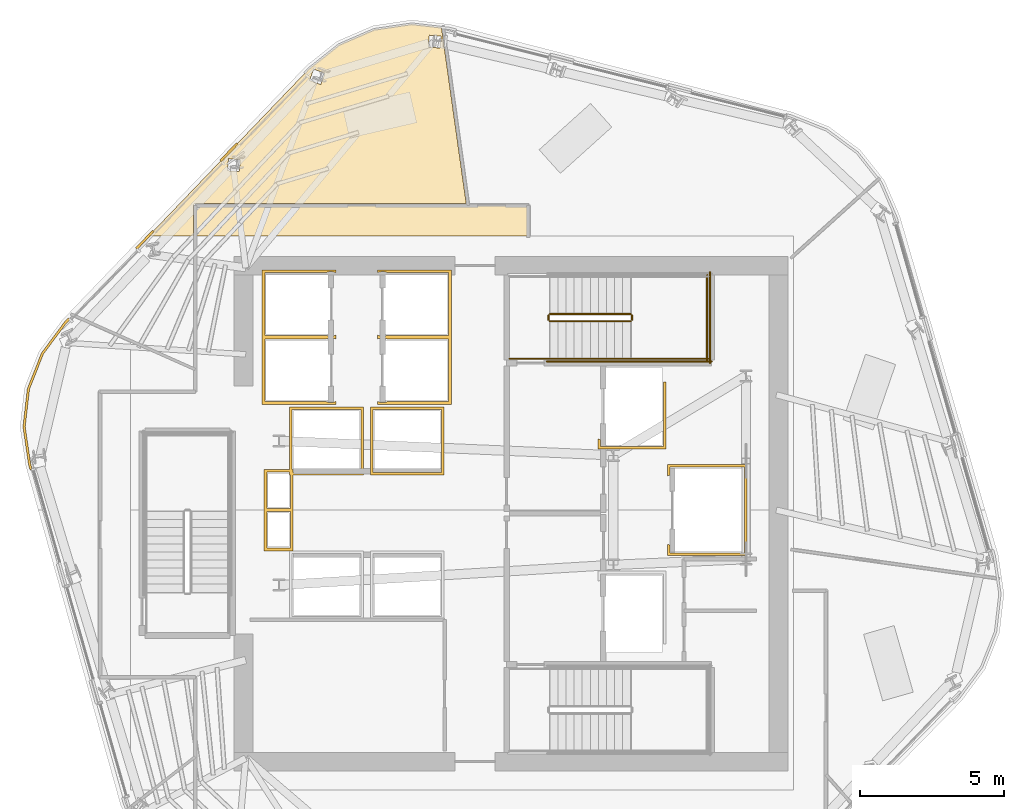
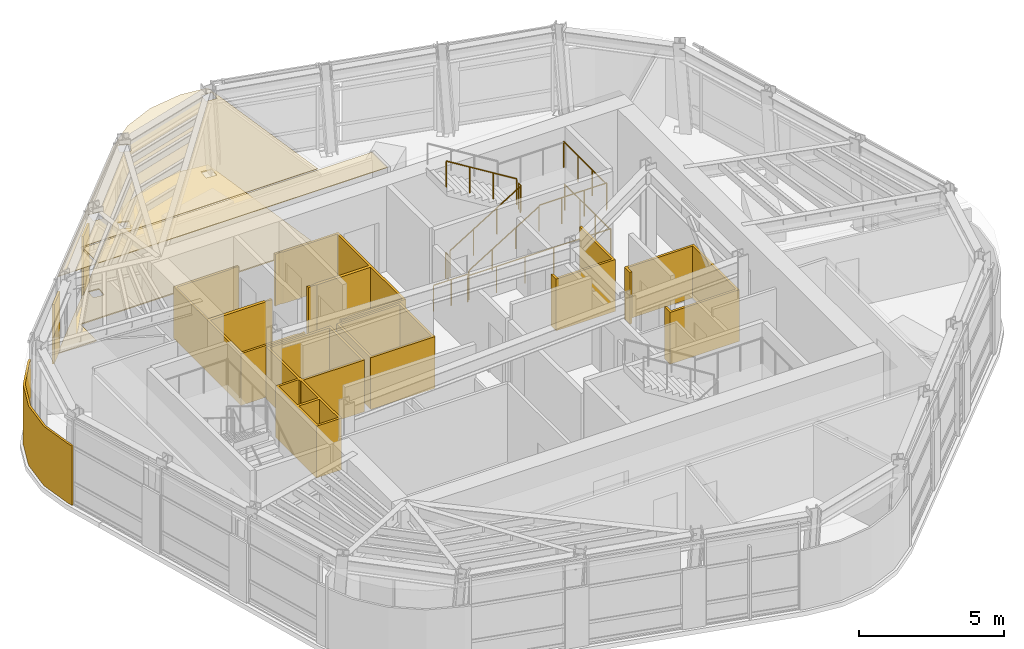
# One storey, part 11 of 13: 12 coverings, 10 railings.
"""IFC4 building model written with IfcOpenShell, lengths in metres."""

from ifc_helpers import new_model, si_unit, direction, frame, origin, origin_2d, place, context, subcontext, project, spatial, polyline, circle, outline, extrude, material, layer, layer_set, type_object, element, save


model = new_model("IFC4")

# Units and contexts
model_context = context("Model", 3, precision=1e-05, world=origin(), true_north=direction((0.0, 1.0)))
body_context = subcontext(model_context, "Body", "Model", "MODEL_VIEW")
ifc_project = project(units=[si_unit("LENGTHUNIT", "METRE"), si_unit("AREAUNIT", "SQUARE_METRE"), si_unit("VOLUMEUNIT", "CUBIC_METRE"), si_unit("PLANEANGLEUNIT", "RADIAN"), si_unit("MASSUNIT", "GRAM", prefix="KILO")], contexts=[model_context])

# Site, building, storey
site_placement = place(None, origin())
site = spatial("IfcSite", under=ifc_project, at=site_placement, CompositionType="ELEMENT")
building_placement = place(site_placement, origin())
building = spatial("IfcBuilding", under=site, at=building_placement, Name="Valkerne Bourse Tower", CompositionType="ELEMENT")
storey_placement = place(building_placement, frame((0.0, 0.0, 220.800048828125)))
storey = spatial("IfcBuildingStorey", under=building, at=storey_placement, Name="L56", CompositionType="ELEMENT", Elevation=220.800048828125)

# Coverings
ifc_material_1 = material(Name="Mineral Fiber Acoustic Ceiling Tile", Category="acoustic")
ifc_layer_1 = layer(ifc_material_1, 0.02490234375)
ifc_layer_set_1 = layer_set([ifc_layer_1], Name="Mineral Fiber Acoustic Ceiling Tile")
covering_type_1 = type_object("IfcCoveringType", Name="COV-CEIL-ACT", PredefinedType="CEILING", material=ifc_layer_set_1)
covering_1_placement = place(storey_placement, frame((0.0, 0.0, 3.25)))
element("IfcCovering", 1, at=covering_1_placement, inside=storey, type_object=covering_type_1, Name="L56 Suspended Ceiling 09", PredefinedType="CEILING", context=body_context, shape_type="SweptSolid", body=[
    extrude(outline(polyline([(42.054931640625, 43.65771484375), (43.3603515625, 43.8505859375), (44.388916015625, 43.7314453125), (45.24658203125, 37.62890625), (35.849609375, 37.62890625), (35.81494140625, 37.61962890625), (35.790283203125, 37.59521484375), (35.781005859375, 37.560546875), (35.781005859375, 36.5), (34.2294921875, 36.5), (39.802490234375, 42.30810546875), (40.843994140625, 43.133544921875), (42.054931640625, 43.65771484375)]), holes=[polyline([(37.3740234375, 38.734619140625), (37.414306640625, 39.146728515625), (37.0048828125, 39.1875), (37.003173828125, 39.186279296875), (36.962890625, 38.774169921875), (37.372314453125, 38.7333984375), (37.3740234375, 38.734619140625)]), polyline([(40.200927734375, 41.759033203125), (40.34423828125, 42.1474609375), (39.95849609375, 42.290771484375), (39.95654296875, 42.289794921875), (39.81298828125, 41.901611328125), (40.19873046875, 41.758056640625), (40.200927734375, 41.759033203125)]), polyline([(44.380859375, 43.431884765625), (43.968994140625, 43.469482421875), (43.966796875, 43.46923828125), (43.9296875, 43.05908203125), (44.341552734375, 43.021484375), (44.343994140625, 43.021728515625), (44.380859375, 43.431884765625)])]), origin(), (0.0, 0.0, 1.0), 0.02490234375),
])
ifc_material_2 = material(Name="Bronze Anodised Aluminium AA 6063-T6", Category="aluminium")
ifc_layer_2 = layer(ifc_material_2, 0.030029296875)
ifc_layer_set_2 = layer_set([ifc_layer_2], Name="Bronze Anodised Aluminium AA 6063-T6")
covering_type_2 = type_object("IfcCoveringType", Name="COV-CEIL-METAL", PredefinedType="CEILING", material=ifc_layer_set_2)
covering_2_placement = place(storey_placement, frame((0.0, 0.0, 3.25)))
element("IfcCovering", 2, at=covering_2_placement, inside=storey, type_object=covering_type_2, Name="L56 Suspended Ceiling 03", PredefinedType="CEILING", context=body_context, shape_type="SweptSolid", body=[
    extrude(outline(polyline([(35.85400390625, 37.555908203125), (47.39599609375, 37.555908203125), (47.39599609375, 36.5), (35.85400390625, 36.5), (35.85400390625, 37.555908203125)])), origin(), (0.0, 0.0, 1.0), 0.02490234375),
])
ifc_layer_3 = layer(ifc_material_2, 0.06005859375)
ifc_layer_set_3 = layer_set([ifc_layer_3], Name="Bronze Anodised Aluminium AA 6063-T6")
covering_type_3 = type_object("IfcCoveringType", Name="COV-CRN-ALUM", PredefinedType="CLADDING", material=ifc_layer_set_3)
covering_3_placement = place(storey_placement, origin())
element("IfcCovering", 3, at=covering_3_placement, inside=storey, type_object=covering_type_3, Name="L56 Wind-Shaped Corner Aluminium Cladding 10", PredefinedType="CLADDING", context=body_context, shape_type="SweptSolid", body=[
    extrude(outline(polyline([(30.06884765625, 28.567138671875), (29.873291015625, 29.890869140625), (30.0263671875, 31.213134765625), (30.516357421875, 32.450927734375), (31.314208984375, 33.525146484375), (31.44775390625, 33.664306640625), (31.505126953125, 33.608642578125), (31.375244140625, 33.473388671875), (30.5869140625, 32.41162109375), (30.1044921875, 31.193603515625), (29.9541015625, 29.89208984375), (30.147216796875, 28.583984375), (30.19775390625, 28.4033203125), (30.120849609375, 28.38134765625), (30.06884765625, 28.567138671875)])), origin(), (0.0, 0.0, 1.0), 2.5),
])
covering_4_placement = place(storey_placement, origin())
element("IfcCovering", 4, at=covering_4_placement, inside=storey, type_object=covering_type_3, Name="L56 Wind-Shaped Corner Aluminium Cladding 11", PredefinedType="CLADDING", context=body_context, shape_type="SweptSolid", body=[
    extrude(outline(polyline([(34.364013671875, 36.70361328125), (34.42138671875, 36.64794921875), (33.83984375, 36.041748046875), (33.782470703125, 36.097412109375), (34.364013671875, 36.70361328125)])), origin(), (0.0, 0.0, 1.0), 2.5),
])
covering_5_placement = place(storey_placement, origin())
element("IfcCovering", 5, at=covering_5_placement, inside=storey, type_object=covering_type_3, Name="L56 Wind-Shaped Corner Aluminium Cladding 12", PredefinedType="CLADDING", context=body_context, shape_type="SweptSolid", body=[
    extrude(outline(polyline([(37.280029296875, 39.742919921875), (37.337646484375, 39.687255859375), (36.756103515625, 39.0810546875), (36.698486328125, 39.13671875), (37.280029296875, 39.742919921875)])), origin(), (0.0, 0.0, 1.0), 2.5),
])
ifc_material_3 = material(Name="Galvanised Painted Steel", Category="steel")
ifc_layer_4 = layer(ifc_material_3, 0.044921875)
ifc_layer_set_4 = layer_set([ifc_layer_4], Name="Galvanised Painted Steel")
covering_type_4 = type_object("IfcCoveringType", Name="COV-FLR-RAF", PredefinedType="FLOORING", material=ifc_layer_set_4)
covering_6_placement = place(storey_placement, origin())
element("IfcCovering", 6, at=covering_6_placement, inside=storey, type_object=covering_type_4, Name="L56 Floor Finish 09", PredefinedType="FLOORING", context=body_context, shape_type="SweptSolid", body=[
    extrude(outline(polyline([(42.054931640625, 43.65771484375), (43.3603515625, 43.8505859375), (44.388916015625, 43.7314453125), (45.24658203125, 37.62890625), (35.849609375, 37.62890625), (35.81494140625, 37.61962890625), (35.790283203125, 37.59521484375), (35.781005859375, 37.560546875), (35.781005859375, 36.5), (34.2294921875, 36.5), (39.802490234375, 42.30810546875), (40.843994140625, 43.133544921875), (42.054931640625, 43.65771484375)]), holes=[polyline([(37.3740234375, 38.734619140625), (37.414306640625, 39.146728515625), (37.0048828125, 39.1875), (37.003173828125, 39.186279296875), (36.962890625, 38.774169921875), (37.372314453125, 38.7333984375), (37.3740234375, 38.734619140625)]), polyline([(40.200927734375, 41.759033203125), (40.34423828125, 42.1474609375), (39.95849609375, 42.290771484375), (39.95654296875, 42.289794921875), (39.81298828125, 41.901611328125), (40.19873046875, 41.758056640625), (40.200927734375, 41.759033203125)]), polyline([(44.380859375, 43.431884765625), (43.968994140625, 43.469482421875), (43.966796875, 43.46923828125), (43.9296875, 43.05908203125), (44.341552734375, 43.021484375), (44.343994140625, 43.021728515625), (44.380859375, 43.431884765625)])]), origin(), (0.0, 0.0, 1.0), 0.044921875),
])
ifc_material_4 = material(Name="Gypsum Shaftwall Liner Board", Category="gypsum")
ifc_layer_5 = layer(ifc_material_4, 0.080078125)
ifc_layer_set_5 = layer_set([ifc_layer_5], Name="Gypsum Shaftwall Liner Board")
covering_type_5 = type_object("IfcCoveringType", Name="COV-SHF-CLAD", PredefinedType="CLADDING", material=ifc_layer_set_5)
covering_7_placement = place(storey_placement, origin())
element("IfcCovering", 7, at=covering_7_placement, inside=storey, type_object=covering_type_5, Name="L56 Hoistway & Riser Shaftwall Liner 03", PredefinedType="CLADDING", context=body_context, shape_type="SweptSolid", body=[
    extrude(outline(polyline([(38.239990234375, 28.409912109375), (39.1201171875, 28.409912109375), (39.1201171875, 30.580078125), (41.679931640625, 30.580078125), (41.679931640625, 28.219970703125), (39.239990234375, 28.219970703125), (39.239990234375, 27.0400390625), (39.239990234375, 26.9599609375), (39.239990234375, 25.590087890625), (38.239990234375, 25.590087890625), (38.239990234375, 26.9599609375), (38.239990234375, 27.0400390625), (38.239990234375, 28.409912109375)]), holes=[polyline([(38.330078125, 26.949951171875), (38.330078125, 25.679931640625), (39.14990234375, 25.679931640625), (39.14990234375, 26.949951171875), (38.330078125, 26.949951171875)]), polyline([(39.2099609375, 30.489990234375), (39.2099609375, 28.409912109375), (39.239990234375, 28.409912109375), (39.239990234375, 28.31005859375), (41.590087890625, 28.31005859375), (41.590087890625, 30.489990234375), (39.2099609375, 30.489990234375)]), polyline([(38.330078125, 27.050048828125), (39.14990234375, 27.050048828125), (39.14990234375, 28.219970703125), (39.1201171875, 28.219970703125), (39.1201171875, 28.320068359375), (38.330078125, 28.320068359375), (38.330078125, 27.050048828125)])]), origin(), (0.0, 0.0, 1.0), 2.179931640625),
])
covering_8_placement = place(storey_placement, origin())
element("IfcCovering", 8, at=covering_8_placement, inside=storey, type_object=covering_type_5, Name="L56 Hoistway & Riser Shaftwall Liner 04", PredefinedType="CLADDING", context=body_context, shape_type="SweptSolid", body=[
    extrude(outline(polyline([(38.169921875, 35.330078125), (40.72998046875, 35.330078125), (40.72998046875, 35.232177734375), (40.72216796875, 35.235595703125), (40.6806640625, 35.25048828125), (40.6376953125, 35.261474609375), (40.593994140625, 35.267822265625), (40.550048828125, 35.27001953125), (40.505859375, 35.267822265625), (40.462158203125, 35.261474609375), (40.41943359375, 35.25048828125), (40.3896484375, 35.239990234375), (38.260009765625, 35.239990234375), (38.260009765625, 33.06005859375), (40.3896484375, 33.06005859375), (40.41943359375, 33.04931640625), (40.462158203125, 33.03857421875), (40.505859375, 33.0322265625), (40.550048828125, 33.030029296875), (40.593994140625, 33.0322265625), (40.6376953125, 33.03857421875), (40.6806640625, 33.04931640625), (40.72216796875, 33.064208984375), (40.72998046875, 33.06787109375), (40.72998046875, 33.030029296875), (40.72998046875, 32.969970703125), (40.72998046875, 32.93212890625), (40.72216796875, 32.935791015625), (40.6806640625, 32.95068359375), (40.6376953125, 32.96142578125), (40.593994140625, 32.9677734375), (40.550048828125, 32.969970703125), (40.505859375, 32.9677734375), (40.462158203125, 32.96142578125), (40.41943359375, 32.95068359375), (40.3896484375, 32.93994140625), (38.260009765625, 32.93994140625), (38.260009765625, 30.760009765625), (40.3896484375, 30.760009765625), (40.41943359375, 30.74951171875), (40.462158203125, 30.738525390625), (40.505859375, 30.732177734375), (40.550048828125, 30.72998046875), (40.593994140625, 30.732177734375), (40.6376953125, 30.738525390625), (40.6806640625, 30.74951171875), (40.72216796875, 30.764404296875), (40.72998046875, 30.767822265625), (40.72998046875, 30.669921875), (38.169921875, 30.669921875), (38.169921875, 32.969970703125), (38.169921875, 33.030029296875), (38.169921875, 35.330078125)])), origin(), (0.0, 0.0, 1.0), 2.179931640625),
])
covering_9_placement = place(storey_placement, origin())
element("IfcCovering", 9, at=covering_9_placement, inside=storey, type_object=covering_type_5, Name="L56 Hoistway & Riser Shaftwall Liner 06", PredefinedType="CLADDING", context=body_context, shape_type="SweptSolid", body=[
    extrude(outline(polyline([(54.97998046875, 25.419921875), (52.219970703125, 25.419921875), (52.219970703125, 25.81787109375), (52.227783203125, 25.814208984375), (52.269287109375, 25.79931640625), (52.31005859375, 25.789306640625), (52.31005859375, 25.510009765625), (54.889892578125, 25.510009765625), (54.889892578125, 28.489990234375), (52.31005859375, 28.489990234375), (52.31005859375, 28.210693359375), (52.269287109375, 28.20068359375), (52.227783203125, 28.185791015625), (52.219970703125, 28.18212890625), (52.219970703125, 28.580078125), (54.97998046875, 28.580078125), (54.97998046875, 25.419921875)])), origin(), (0.0, 0.0, 1.0), 2.179931640625),
])
covering_10_placement = place(storey_placement, origin())
element("IfcCovering", 10, at=covering_10_placement, inside=storey, type_object=covering_type_5, Name="L56 Hoistway & Riser Shaftwall Liner 07", PredefinedType="CLADDING", context=body_context, shape_type="SweptSolid", body=[
    extrude(outline(polyline([(44.47998046875, 28.219970703125), (41.919921875, 28.219970703125), (41.919921875, 30.580078125), (44.47998046875, 30.580078125), (44.47998046875, 28.219970703125)]), holes=[polyline([(42.010009765625, 30.489990234375), (42.010009765625, 28.31005859375), (44.389892578125, 28.31005859375), (44.389892578125, 30.489990234375), (42.010009765625, 30.489990234375)])]), origin(), (0.0, 0.0, 1.0), 2.179931640625),
])
covering_11_placement = place(storey_placement, origin())
element("IfcCovering", 11, at=covering_11_placement, inside=storey, type_object=covering_type_5, Name="L56 Hoistway & Riser Shaftwall Liner 08", PredefinedType="CLADDING", context=body_context, shape_type="SweptSolid", body=[
    extrude(outline(polyline([(49.820068359375, 29.1201171875), (49.820068359375, 29.468017578125), (49.827880859375, 29.46435546875), (49.869384765625, 29.449462890625), (49.909912109375, 29.439208984375), (49.909912109375, 29.2099609375), (52.090087890625, 29.2099609375), (52.090087890625, 31.449951171875), (52.179931640625, 31.449951171875), (52.179931640625, 29.1201171875), (49.820068359375, 29.1201171875)])), origin(), (0.0, 0.0, 1.0), 2.179931640625),
])
covering_12_placement = place(storey_placement, origin())
element("IfcCovering", 12, at=covering_12_placement, inside=storey, type_object=covering_type_5, Name="L56 Hoistway & Riser Shaftwall Liner 09", PredefinedType="CLADDING", context=body_context, shape_type="SweptSolid", body=[
    extrude(outline(polyline([(42.169921875, 33.06787109375), (42.177734375, 33.064208984375), (42.219482421875, 33.04931640625), (42.26220703125, 33.03857421875), (42.305908203125, 33.0322265625), (42.35009765625, 33.030029296875), (42.39404296875, 33.0322265625), (42.437744140625, 33.03857421875), (42.480712890625, 33.04931640625), (42.51025390625, 33.06005859375), (44.639892578125, 33.06005859375), (44.639892578125, 35.239990234375), (42.51025390625, 35.239990234375), (42.480712890625, 35.25048828125), (42.437744140625, 35.261474609375), (42.39404296875, 35.267822265625), (42.35009765625, 35.27001953125), (42.305908203125, 35.267822265625), (42.26220703125, 35.261474609375), (42.219482421875, 35.25048828125), (42.177734375, 35.235595703125), (42.169921875, 35.232177734375), (42.169921875, 35.330078125), (44.72998046875, 35.330078125), (44.72998046875, 33.030029296875), (44.72998046875, 32.969970703125), (44.72998046875, 30.669921875), (42.169921875, 30.669921875), (42.169921875, 30.767822265625), (42.177734375, 30.764404296875), (42.219482421875, 30.74951171875), (42.26220703125, 30.738525390625), (42.305908203125, 30.732177734375), (42.35009765625, 30.72998046875), (42.39404296875, 30.732177734375), (42.437744140625, 30.738525390625), (42.480712890625, 30.74951171875), (42.51025390625, 30.760009765625), (44.639892578125, 30.760009765625), (44.639892578125, 32.93994140625), (42.51025390625, 32.93994140625), (42.480712890625, 32.95068359375), (42.437744140625, 32.96142578125), (42.39404296875, 32.9677734375), (42.35009765625, 32.969970703125), (42.305908203125, 32.9677734375), (42.26220703125, 32.96142578125), (42.219482421875, 32.95068359375), (42.177734375, 32.935791015625), (42.169921875, 32.93212890625), (42.169921875, 32.969970703125), (42.169921875, 33.030029296875), (42.169921875, 33.06787109375)])), origin(), (0.0, 0.0, 1.0), 2.179931640625),
])

# Railings
railing_type_1 = type_object("IfcRailingType", Name="RLG-ST-GUARD-1120", PredefinedType="GUARDRAIL", material=ifc_material_3)
railing_1_placement = place(storey_placement, frame((48.14990234375, 33.550048828125, 0.172607421875)))
element("IfcRailing", 13, at=railing_1_placement, inside=storey, type_object=railing_type_1, Name="L56 ST-2 stair guard 1", PredefinedType="GUARDRAIL", context=body_context, shape_type="SweptSolid", body=[
    extrude(circle(Radius=0.02392578125, at=origin_2d()), frame((0.0, 0.0, 1.09619140625), z_axis=(0.851089632645, 0.0, 0.525020415988), x_axis=(0.0, 1.0, 0.0)), (0.0, 0.0, 1.0), 3.2900390625),
    extrude(circle(Radius=0.02099609375, at=origin_2d()), origin(), (0.0, 0.0, 1.0), 1.072021484375),
    extrude(circle(Radius=0.02099609375, at=origin_2d()), frame((0.933349609375, 0.0, 0.57568359375)), (0.0, 0.0, 1.0), 1.072021484375),
    extrude(circle(Radius=0.02099609375, at=origin_2d()), frame((1.86669921875, 0.0, 1.151611328125)), (0.0, 0.0, 1.0), 1.072021484375),
    extrude(circle(Radius=0.02099609375, at=origin_2d()), frame((2.800048828125, 0.0, 1.727294921875)), (0.0, 0.0, 1.0), 1.072021484375),
])
railing_2_placement = place(storey_placement, frame((51.0, 33.60009765625, 1.89990234375)))
element("IfcRailing", 14, at=railing_2_placement, inside=storey, type_object=railing_type_1, Name="L56 ST-2 stair guard 2", PredefinedType="GUARDRAIL", context=body_context, shape_type="SweptSolid", body=[
    extrude(circle(Radius=0.02392578125, at=origin_2d()), frame((0.0, 0.0, 1.09619140625), z_axis=(0.0, 1.0, 0.0), x_axis=(-1.0, 0.0, 0.0)), (0.0, 0.0, 1.0), 0.14990234375),
    extrude(circle(Radius=0.02099609375, at=origin_2d()), origin(), (0.0, 0.0, 1.0), 1.072021484375),
    extrude(circle(Radius=0.02099609375, at=origin_2d()), frame((0.0, 0.14990234375, 0.0)), (0.0, 0.0, 1.0), 1.072021484375),
])
railing_3_placement = place(storey_placement, frame((50.949951171875, 32.25, 1.89990234375)))
element("IfcRailing", 15, at=railing_3_placement, inside=storey, type_object=railing_type_1, Name="L56 ST-2 stair guard 3", PredefinedType="GUARDRAIL", context=body_context, shape_type="SweptSolid", body=[
    extrude(circle(Radius=0.02392578125, at=origin_2d()), frame((0.0, 0.0, 1.09619140625), z_axis=(1.0, 0.0, 0.0), x_axis=(0.0, 1.0, 0.0)), (0.0, 0.0, 1.0), 2.699951171875),
    extrude(circle(Radius=0.02099609375, at=origin_2d()), origin(), (0.0, 0.0, 1.0), 1.072021484375),
    extrude(circle(Radius=0.02099609375, at=origin_2d()), frame((0.89990234375, 0.0, 0.0)), (0.0, 0.0, 1.0), 1.072021484375),
    extrude(circle(Radius=0.02099609375, at=origin_2d()), frame((1.800048828125, 0.0, 0.0)), (0.0, 0.0, 1.0), 1.072021484375),
    extrude(circle(Radius=0.02099609375, at=origin_2d()), frame((2.699951171875, 0.0, 0.0)), (0.0, 0.0, 1.0), 1.072021484375),
])
railing_4_placement = place(storey_placement, frame((53.60009765625, 32.199951171875, 1.89990234375)))
element("IfcRailing", 16, at=railing_4_placement, inside=storey, type_object=railing_type_1, Name="L56 ST-2 stair guard 5", PredefinedType="GUARDRAIL", context=body_context, shape_type="SweptSolid", body=[
    extrude(circle(Radius=0.02392578125, at=origin_2d()), frame((0.0, 0.0, 1.09619140625), z_axis=(0.0, 1.0, 0.0), x_axis=(-1.0, 0.0, 0.0)), (0.0, 0.0, 1.0), 2.949951171875),
    extrude(circle(Radius=0.02099609375, at=origin_2d()), origin(), (0.0, 0.0, 1.0), 1.072021484375),
    extrude(circle(Radius=0.02099609375, at=origin_2d()), frame((0.0, 0.9833984375, 0.0)), (0.0, 0.0, 1.0), 1.072021484375),
    extrude(circle(Radius=0.02099609375, at=origin_2d()), frame((0.0, 1.966552734375, 0.0)), (0.0, 0.0, 1.0), 1.072021484375),
    extrude(circle(Radius=0.02099609375, at=origin_2d()), frame((0.0, 2.949951171875, 0.0)), (0.0, 0.0, 1.0), 1.072021484375),
])
railing_5_placement = place(storey_placement, frame((50.949951171875, 33.800048828125, 2.07275390625)))
element("IfcRailing", 17, at=railing_5_placement, inside=storey, type_object=railing_type_1, Name="L56 ST-2 stair guard 6", PredefinedType="GUARDRAIL", context=body_context, shape_type="SweptSolid", body=[
    extrude(circle(Radius=0.02392578125, at=origin_2d()), frame((0.0, 0.0, 1.09619140625), z_axis=(-0.851089632645, 0.0, 0.525020415988), x_axis=(0.0, -1.0, 0.0)), (0.0, 0.0, 1.0), 3.2900390625),
    extrude(circle(Radius=0.02099609375, at=origin_2d()), origin(), (0.0, 0.0, 1.0), 1.072021484375),
    extrude(circle(Radius=0.02099609375, at=origin_2d()), frame((-0.933349609375, 0.0, 0.57568359375)), (0.0, 0.0, 1.0), 1.072021484375),
    extrude(circle(Radius=0.02099609375, at=origin_2d()), frame((-1.86669921875, 0.0, 1.151611328125)), (0.0, 0.0, 1.0), 1.072021484375),
    extrude(circle(Radius=0.02099609375, at=origin_2d()), frame((-2.800048828125, 0.0, 1.727294921875)), (0.0, 0.0, 1.0), 1.072021484375),
])
railing_6_placement = place(storey_placement, frame((48.10009765625, 33.60009765625, 0.0)))
element("IfcRailing", 18, at=railing_6_placement, inside=storey, type_object=railing_type_1, Name="L56 ST-2 stair guard 7", PredefinedType="GUARDRAIL", context=body_context, shape_type="SweptSolid", body=[
    extrude(circle(Radius=0.02392578125, at=origin_2d()), frame((0.0, 0.0, 1.09619140625), z_axis=(0.0, 1.0, 0.0), x_axis=(-1.0, 0.0, 0.0)), (0.0, 0.0, 1.0), 0.14990234375),
    extrude(circle(Radius=0.02099609375, at=origin_2d()), origin(), (0.0, 0.0, 1.0), 1.072021484375),
    extrude(circle(Radius=0.02099609375, at=origin_2d()), frame((0.0, 0.14990234375, 0.0)), (0.0, 0.0, 1.0), 1.072021484375),
])
railing_7_placement = place(storey_placement, frame((46.75, 32.25, 0.0)))
element("IfcRailing", 19, at=railing_7_placement, inside=storey, type_object=railing_type_1, Name="L56 ST-2 stair guard 8", PredefinedType="GUARDRAIL", context=body_context, shape_type="SweptSolid", body=[
    extrude(circle(Radius=0.02392578125, at=origin_2d()), frame((0.0, 0.0, 1.09619140625), z_axis=(1.0, 0.0, 0.0), x_axis=(0.0, 1.0, 0.0)), (0.0, 0.0, 1.0), 1.39990234375),
    extrude(circle(Radius=0.02099609375, at=origin_2d()), origin(), (0.0, 0.0, 1.0), 1.072021484375),
    extrude(circle(Radius=0.02099609375, at=origin_2d()), frame((0.699951171875, 0.0, 0.0)), (0.0, 0.0, 1.0), 1.072021484375),
    extrude(circle(Radius=0.02099609375, at=origin_2d()), frame((1.39990234375, 0.0, 0.0)), (0.0, 0.0, 1.0), 1.072021484375),
])
railing_8_placement = place(storey_placement, frame((48.050048828125, 32.14990234375, 0.0)))
element("IfcRailing", 20, at=railing_8_placement, inside=storey, type_object=railing_type_1, Name="L56 ST-2 stair guard 10", PredefinedType="GUARDRAIL", context=body_context, shape_type="SweptSolid", body=[
    extrude(circle(Radius=0.02392578125, at=origin_2d()), frame((0.0, 0.0, 1.09619140625), z_axis=(1.0, 0.0, 0.0), x_axis=(0.0, 1.0, 0.0)), (0.0, 0.0, 1.0), 5.699951171875),
    extrude(circle(Radius=0.02099609375, at=origin_2d()), origin(), (0.0, 0.0, 1.0), 1.072021484375),
    extrude(circle(Radius=0.02099609375, at=origin_2d()), frame((1.139892578125, 0.0, 0.0)), (0.0, 0.0, 1.0), 1.072021484375),
    extrude(circle(Radius=0.02099609375, at=origin_2d()), frame((2.280029296875, 0.0, 0.0)), (0.0, 0.0, 1.0), 1.072021484375),
    extrude(circle(Radius=0.02099609375, at=origin_2d()), frame((3.419921875, 0.0, 0.0)), (0.0, 0.0, 1.0), 1.072021484375),
    extrude(circle(Radius=0.02099609375, at=origin_2d()), frame((4.56005859375, 0.0, 0.0)), (0.0, 0.0, 1.0), 1.072021484375),
    extrude(circle(Radius=0.02099609375, at=origin_2d()), frame((5.699951171875, 0.0, 0.0)), (0.0, 0.0, 1.0), 1.072021484375),
])
railing_9_placement = place(storey_placement, frame((53.699951171875, 32.10009765625, 0.0)))
element("IfcRailing", 21, at=railing_9_placement, inside=storey, type_object=railing_type_1, Name="L56 ST-2 stair guard 12", PredefinedType="GUARDRAIL", context=body_context, shape_type="SweptSolid", body=[
    extrude(circle(Radius=0.02392578125, at=origin_2d()), frame((0.0, 0.0, 1.09619140625), z_axis=(0.0, 1.0, 0.0), x_axis=(-1.0, 0.0, 0.0)), (0.0, 0.0, 1.0), 3.14990234375),
    extrude(circle(Radius=0.02099609375, at=origin_2d()), origin(), (0.0, 0.0, 1.0), 1.072021484375),
    extrude(circle(Radius=0.02099609375, at=origin_2d()), frame((0.0, 1.050048828125, 0.0)), (0.0, 0.0, 1.0), 1.072021484375),
    extrude(circle(Radius=0.02099609375, at=origin_2d()), frame((0.0, 2.099853515625, 0.0)), (0.0, 0.0, 1.0), 1.072021484375),
    extrude(circle(Radius=0.02099609375, at=origin_2d()), frame((0.0, 3.14990234375, 0.0)), (0.0, 0.0, 1.0), 1.072021484375),
])
ifc_material_5 = material(Name="Stainless Steel AISI 316", Category="steel")
railing_type_2 = type_object("IfcRailingType", Name="RLG-ST-HANDRAIL-900", PredefinedType="HANDRAIL", material=ifc_material_5)
railing_10_placement = place(storey_placement, frame((48.14990234375, 32.25, 0.345458984375)))
element("IfcRailing", 22, at=railing_10_placement, inside=storey, type_object=railing_type_2, Name="L56 ST-2 stair handrail 1", PredefinedType="HANDRAIL", context=body_context, shape_type="SweptSolid", body=[
    extrude(circle(Radius=0.02392578125, at=origin_2d()), frame((0.0, 0.0, 0.8759765625), z_axis=(0.851089632645, 0.0, 0.525020415988), x_axis=(0.0, 1.0, 0.0)), (0.0, 0.0, 1.0), 3.2900390625),
    extrude(circle(Radius=0.02099609375, at=origin_2d()), origin(), (0.0, 0.0, 1.0), 0.851806640625),
    extrude(circle(Radius=0.02099609375, at=origin_2d()), frame((0.933349609375, 0.0, 0.57568359375)), (0.0, 0.0, 1.0), 0.851806640625),
    extrude(circle(Radius=0.02099609375, at=origin_2d()), frame((1.86669921875, 0.0, 1.151611328125)), (0.0, 0.0, 1.0), 0.851806640625),
    extrude(circle(Radius=0.02099609375, at=origin_2d()), frame((2.800048828125, 0.0, 1.727294921875)), (0.0, 0.0, 1.0), 0.851806640625),
])

save(model, "model.ifc")
